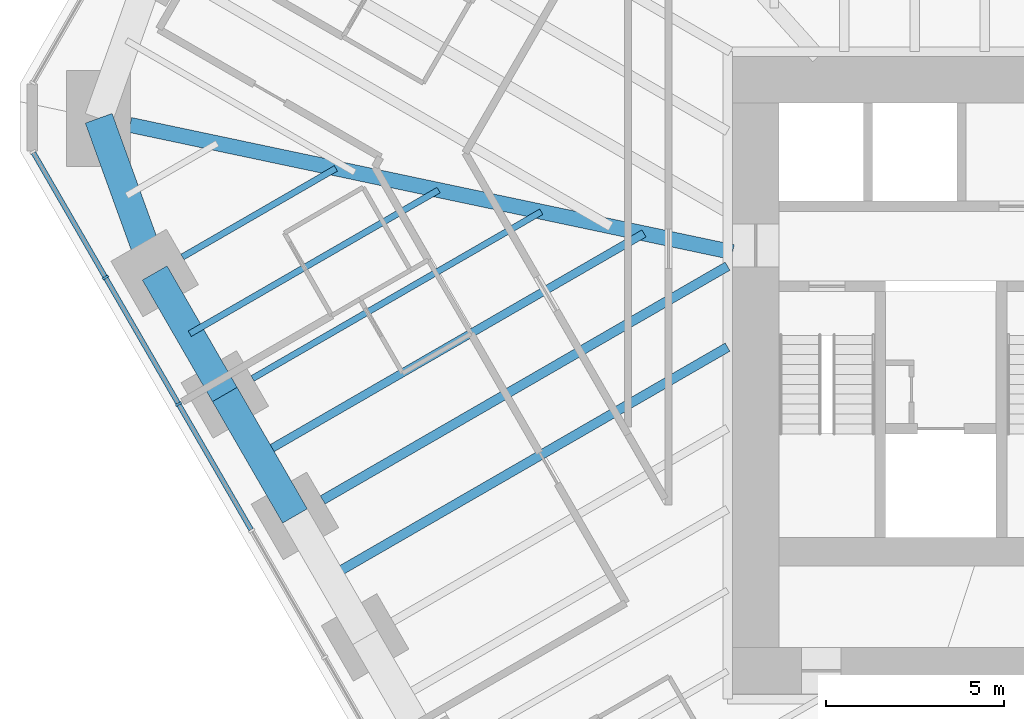
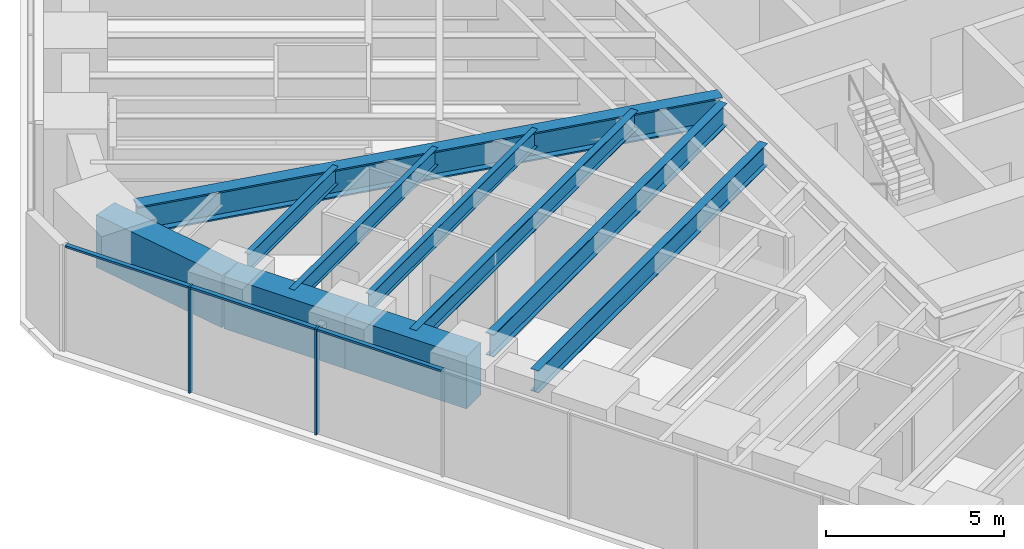
# One storey, part 3 of 17: 10 beams, 5 members, 1 element without a shape of its own.
"""IFC4 building model written with IfcOpenShell, lengths in metres."""

from ifc_helpers import new_model, si_unit, direction, frame, origin, origin_2d, place, context, subcontext, project, spatial, rectangle, i_section, extrude, material, material_profile, profile_set, type_object, element, aggregate, save


model = new_model("IFC4")

# Units and contexts
model_context = context("Model", 3, precision=1e-05, world=origin(), true_north=direction((0.0, 1.0)))
body_context = subcontext(model_context, "Body", "Model", "MODEL_VIEW")
ifc_project = project(units=[si_unit("LENGTHUNIT", "METRE"), si_unit("AREAUNIT", "SQUARE_METRE"), si_unit("VOLUMEUNIT", "CUBIC_METRE"), si_unit("PLANEANGLEUNIT", "RADIAN"), si_unit("MASSUNIT", "GRAM", prefix="KILO")], contexts=[model_context])

# Site, building, storey
site_placement = place(None, origin())
site = spatial("IfcSite", under=ifc_project, at=site_placement, CompositionType="ELEMENT")
building_placement = place(site_placement, origin())
building = spatial("IfcBuilding", under=site, at=building_placement, Name="Sandreach Pilgrim Tower", CompositionType="ELEMENT")
storey_placement = place(building_placement, frame((0.0, 0.0, 142.39990234375)))
storey = spatial("IfcBuildingStorey", under=building, at=storey_placement, Name="L35", CompositionType="ELEMENT", Elevation=142.39990234375)

# Curtain wall, members
ifc_material_1 = material(Name="Aluminium framed curtain wall", Category="aluminium")
curtain_wall_type = type_object("IfcCurtainWallType", Name="Hotel tower curtain wall", PredefinedType="NOTDEFINED", material=ifc_material_1)
curtain_wall_placement = place(storey_placement, origin())
curtain_wall = element("IfcCurtainWall", 1, at=curtain_wall_placement, inside=storey, type_object=curtain_wall_type, Name="CW-2 L35 SW", PredefinedType="NOTDEFINED")
ifc_material_2 = material(Name="Aluminium extrusion", Category="aluminium")
ifc_material_profile_1 = material_profile(ifc_material_2, rectangle(XDim=0.06494140625, YDim=0.179931640625, at=origin_2d()), Name="CW-2M 65X180")
ifc_profile_set_1 = profile_set([ifc_material_profile_1], Name="Aluminium extrusion")
member_type_1 = type_object("IfcMemberType", Name="CW-2 mullion", PredefinedType="MULLION", material=ifc_profile_set_1)
member_1_placement = place(storey_placement, frame((-24.614013671875, -2.35498046875, 0.0), z_axis=(0.0, 0.0, 1.0), x_axis=(-0.5, 0.866025403784, 0.0)))
member_1 = element("IfcMember", 2, at=member_1_placement, type_object=member_type_1, Name="CW-2 mullion 8", PredefinedType="MULLION", context=body_context, shape_type="SweptSolid", body=[
    extrude(rectangle(XDim=0.06494140625, YDim=0.179931640625, at=origin_2d()), origin(), (0.0, 0.0, 1.0), 3.64013671875),
])
member_2_placement = place(storey_placement, frame((-26.66748046875, 1.20166015625, 0.0), z_axis=(0.0, 0.0, 1.0), x_axis=(-0.5, 0.866025403784, 0.0)))
member_2 = element("IfcMember", 3, at=member_2_placement, type_object=member_type_1, Name="CW-2 mullion 9", PredefinedType="MULLION", context=body_context, shape_type="SweptSolid", body=[
    extrude(rectangle(XDim=0.06494140625, YDim=0.179931640625, at=origin_2d()), origin(), (0.0, 0.0, 1.0), 3.64013671875),
])
ifc_material_3 = material(Name="Aluminium extrusion", Category="aluminium")
ifc_material_profile_2 = material_profile(ifc_material_3, rectangle(XDim=0.139892578125, YDim=0.070068359375, at=origin_2d()), Name="CW-2T 140X70")
ifc_profile_set_2 = profile_set([ifc_material_profile_2], Name="Aluminium extrusion")
member_type_2 = type_object("IfcMemberType", Name="CW-2 transom", PredefinedType="USERDEFINED", material=ifc_profile_set_2)
member_3_placement = place(storey_placement, frame((-22.57666015625, -5.883544921875, 3.60498046875), z_axis=(-0.500023973715, 0.866011562111, 0.0), x_axis=(-0.866011562111, -0.500023973715, 0.0)))
member_3 = element("IfcMember", 4, at=member_3_placement, type_object=member_type_2, Name="CW-2 head transom 7", ObjectType="TRANSOM", PredefinedType="USERDEFINED", context=body_context, shape_type="SweptSolid", body=[
    extrude(rectangle(XDim=0.139892578125, YDim=0.070068359375, at=origin_2d()), origin(), (0.0, 0.0, 1.0), 4.041748046875),
])
member_4_placement = place(storey_placement, frame((-24.630126953125, -2.326904296875, 3.60498046875), z_axis=(-0.499997818338, 0.866026663364, 0.0), x_axis=(-0.866026663364, -0.499997818338, 0.0)))
member_4 = element("IfcMember", 5, at=member_4_placement, type_object=member_type_2, Name="CW-2 head transom 8", ObjectType="TRANSOM", PredefinedType="USERDEFINED", context=body_context, shape_type="SweptSolid", body=[
    extrude(rectangle(XDim=0.139892578125, YDim=0.070068359375, at=origin_2d()), origin(), (0.0, 0.0, 1.0), 4.0419921875),
])
member_5_placement = place(storey_placement, frame((-26.68359375, 1.229736328125, 3.60498046875), z_axis=(-0.500015851672, 0.866016251624, 0.0), x_axis=(-0.866016251624, -0.500015851672, 0.0)))
member_5 = element("IfcMember", 6, at=member_5_placement, type_object=member_type_2, Name="CW-2 head transom 9", ObjectType="TRANSOM", PredefinedType="USERDEFINED", context=body_context, shape_type="SweptSolid", body=[
    extrude(rectangle(XDim=0.139892578125, YDim=0.070068359375, at=origin_2d()), origin(), (0.0, 0.0, 1.0), 4.009521484375),
])
aggregate(curtain_wall, [member_1, member_2, member_3, member_4, member_5])

# Beams
ifc_material_4 = material(Name="Steel ASTM A992 Grade 50", Category="steel")
ifc_material_profile_3 = material_profile(ifc_material_4, i_section(OverallWidth=0.424072265625, OverallDepth=0.965087890625, WebThickness=0.028564453125, FlangeThickness=0.051025390625, at=origin_2d()), Name="W36X361")
ifc_profile_set_3 = profile_set([ifc_material_profile_3], Name="Steel ASTM A992 Grade 50")
beam_type_1 = type_object("IfcBeamType", Name="Corner girder W36X361", PredefinedType="BEAM", material=ifc_profile_set_3)
beam_1_placement = place(storey_placement, frame((-25.976806640625, 5.484619140625, 3.157470703125), z_axis=(0.978427882284, -0.206588671447, 0.0), x_axis=(0.206588671447, 0.978427882284, 0.0)))
element("IfcBeam", 7, at=beam_1_placement, inside=storey, type_object=beam_type_1, Name="BM L35 CG35", PredefinedType="BEAM", context=body_context, shape_type="SweptSolid", body=[
    extrude(i_section(OverallWidth=0.424072265625, OverallDepth=0.965087890625, WebThickness=0.028564453125, FlangeThickness=0.051025390625, at=origin_2d()), origin(), (0.0, 0.0, 1.0), 17.300048828125),
])
ifc_material_5 = material(Name="Steel ASTM A992 Grade 50", Category="steel")
ifc_material_profile_4 = material_profile(ifc_material_5, i_section(OverallWidth=0.1787109375, OverallDepth=0.60205078125, WebThickness=0.010986328125, FlangeThickness=0.014892578125, at=origin_2d()), Name="W24X62")
ifc_profile_set_4 = profile_set([ifc_material_profile_4], Name="Steel ASTM A992 Grade 50")
beam_type_2 = type_object("IfcBeamType", Name="Floor beam W24X62", PredefinedType="BEAM", material=ifc_profile_set_4)
beam_2_placement = place(storey_placement, frame((-22.534423828125, -1.63671875, 3.339111328125), z_axis=(0.866012351917, 0.500022605817, 0.0), x_axis=(-0.500022605817, 0.866012351917, 0.0)))
element("IfcBeam", 8, at=beam_2_placement, inside=storey, type_object=beam_type_2, Name="BM L35 F33", PredefinedType="BEAM", context=body_context, shape_type="SweptSolid", body=[
    extrude(i_section(OverallWidth=0.1787109375, OverallDepth=0.60205078125, WebThickness=0.010986328125, FlangeThickness=0.014892578125, at=origin_2d()), origin(), (0.0, 0.0, 1.0), 9.3642578125),
])
beam_3_placement = place(storey_placement, frame((-24.50439453125, 1.775390625, 3.339111328125), z_axis=(0.866024645457, 0.500001313459, 0.0), x_axis=(-0.500001313459, 0.866024645457, 0.0)))
element("IfcBeam", 9, at=beam_3_placement, inside=storey, type_object=beam_type_2, Name="BM L35 F34", PredefinedType="BEAM", context=body_context, shape_type="SweptSolid", body=[
    extrude(i_section(OverallWidth=0.1787109375, OverallDepth=0.60205078125, WebThickness=0.010986328125, FlangeThickness=0.014892578125, at=origin_2d()), origin(), (0.0, 0.0, 1.0), 4.9765625),
])
beam_4_placement = place(storey_placement, frame((-24.298828125, -0.380615234375, 3.339111328125), z_axis=(0.866022864518, 0.500004398112, 0.0), x_axis=(-0.500004398112, 0.866022864518, 0.0)))
element("IfcBeam", 10, at=beam_4_placement, inside=storey, type_object=beam_type_2, Name="BM L35 FM33", PredefinedType="BEAM", context=body_context, shape_type="SweptSolid", body=[
    extrude(i_section(OverallWidth=0.1787109375, OverallDepth=0.60205078125, WebThickness=0.010986328125, FlangeThickness=0.014892578125, at=origin_2d()), origin(), (0.0, 0.0, 1.0), 8.0703125),
])
ifc_material_6 = material(Name="Steel ASTM A992 Grade 50", Category="steel")
ifc_material_profile_5 = material_profile(ifc_material_6, i_section(OverallWidth=0.23046875, OverallDepth=0.6171875, WebThickness=0.01318359375, FlangeThickness=0.022216796875, at=origin_2d()), Name="W24X94")
ifc_profile_set_5 = profile_set([ifc_material_profile_5], Name="Steel ASTM A992 Grade 50")
beam_type_3 = type_object("IfcBeamType", Name="Floor beam W24X94", PredefinedType="BEAM", material=ifc_profile_set_5)
beam_5_placement = place(storey_placement, frame((-22.328857421875, -3.792724609375, 3.33154296875), z_axis=(0.866019150617, 0.500010830648, 0.0), x_axis=(-0.500010830648, 0.866019150617, 0.0)))
element("IfcBeam", 11, at=beam_5_placement, inside=storey, type_object=beam_type_3, Name="BM L35 FM32", PredefinedType="BEAM", context=body_context, shape_type="SweptSolid", body=[
    extrude(i_section(OverallWidth=0.23046875, OverallDepth=0.6171875, WebThickness=0.01318359375, FlangeThickness=0.022216796875, at=origin_2d()), origin(), (0.0, 0.0, 1.0), 12.458251953125),
])
ifc_material_7 = material(Name="Steel ASTM A992 Grade 50", Category="steel")
ifc_material_profile_6 = material_profile(ifc_material_7, i_section(OverallWidth=0.2666015625, OverallDepth=0.761962890625, WebThickness=0.014404296875, FlangeThickness=0.021484375, at=origin_2d()), Name="W30X116")
ifc_profile_set_6 = profile_set([ifc_material_profile_6], Name="Steel ASTM A992 Grade 50")
beam_type_4 = type_object("IfcBeamType", Name="Floor beam W30X116", PredefinedType="BEAM", material=ifc_profile_set_6)
beam_6_placement = place(storey_placement, frame((-20.564453125, -5.048828125, 3.259033203125), z_axis=(0.866022715736, 0.500004655807, 0.0), x_axis=(-0.500004655807, 0.866022715736, 0.0)))
element("IfcBeam", 12, at=beam_6_placement, inside=storey, type_object=beam_type_4, Name="BM L35 F32", PredefinedType="BEAM", context=body_context, shape_type="SweptSolid", body=[
    extrude(i_section(OverallWidth=0.2666015625, OverallDepth=0.761962890625, WebThickness=0.014404296875, FlangeThickness=0.021484375, at=origin_2d()), origin(), (0.0, 0.0, 1.0), 13.130126953125),
])
beam_7_placement = place(storey_placement, frame((-20.35888671875, -7.204833984375, 3.259033203125), z_axis=(0.866021609098, 0.500006572533, 0.0), x_axis=(-0.500006572533, 0.866021609098, 0.0)))
element("IfcBeam", 13, at=beam_7_placement, inside=storey, type_object=beam_type_4, Name="BM L35 FM31", PredefinedType="BEAM", context=body_context, shape_type="SweptSolid", body=[
    extrude(i_section(OverallWidth=0.2666015625, OverallDepth=0.761962890625, WebThickness=0.014404296875, FlangeThickness=0.021484375, at=origin_2d()), origin(), (0.0, 0.0, 1.0), 12.892822265625),
])
ifc_material_8 = material(Name="Concrete 10000 psi", Category="concrete")
ifc_material_profile_7 = material_profile(ifc_material_8, rectangle(XDim=0.800048828125, YDim=1.800048828125, at=origin_2d()), Name="RC800X1800")
ifc_profile_set_7 = profile_set([ifc_material_profile_7], Name="Concrete 10000 psi")
beam_type_5 = type_object("IfcBeamType", Name="Spandrel beam RC800X1800", PredefinedType="SPANDREL", material=ifc_profile_set_7)
for number, where, z_axis, x_axis, name in (
    (14, (-21.343994140625, -5.498779296875, 2.739990234375), (-0.49999779889, 0.866026674592, 0.0), (-0.866026674592, -0.49999779889, 0.0), "BM L35 SP32"),
    (15, (-23.31396484375, -2.086669921875, 2.739990234375), (-0.49999779889, 0.866026674592, 0.0), (-0.866026674592, -0.49999779889, 0.0), "BM L35 SP33"),
):
    element("IfcBeam", number, at=place(storey_placement, frame(where, z_axis=z_axis, x_axis=x_axis)), inside=storey, type_object=beam_type_5, Name=name, PredefinedType="SPANDREL", context=body_context, shape_type="SweptSolid", body=[
        extrude(rectangle(XDim=0.800048828125, YDim=1.800048828125, at=origin_2d()), origin(), (0.0, 0.0, 1.0), 3.93994140625),
    ])
beam_8_placement = place(storey_placement, frame((-25.283935546875, 1.325439453125, 2.739990234375), z_axis=(-0.340453163563, 0.940261476091, 0.0), x_axis=(-0.940261476091, -0.340453163563, 0.0)))
element("IfcBeam", 16, at=beam_8_placement, inside=storey, type_object=beam_type_5, Name="BM L35 SP34", PredefinedType="SPANDREL", context=body_context, shape_type="SweptSolid", body=[
    extrude(rectangle(XDim=0.800048828125, YDim=1.800048828125, at=origin_2d()), origin(), (0.0, 0.0, 1.0), 4.62109375),
])

save(model, "model.ifc")
